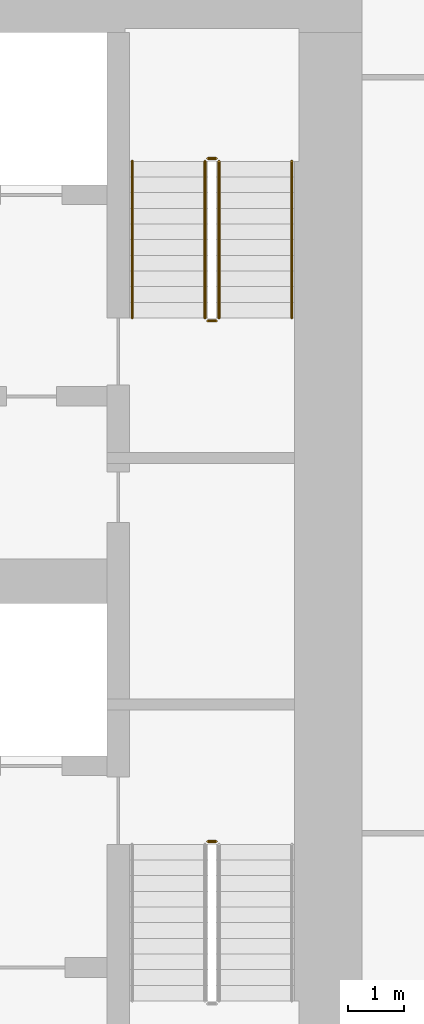
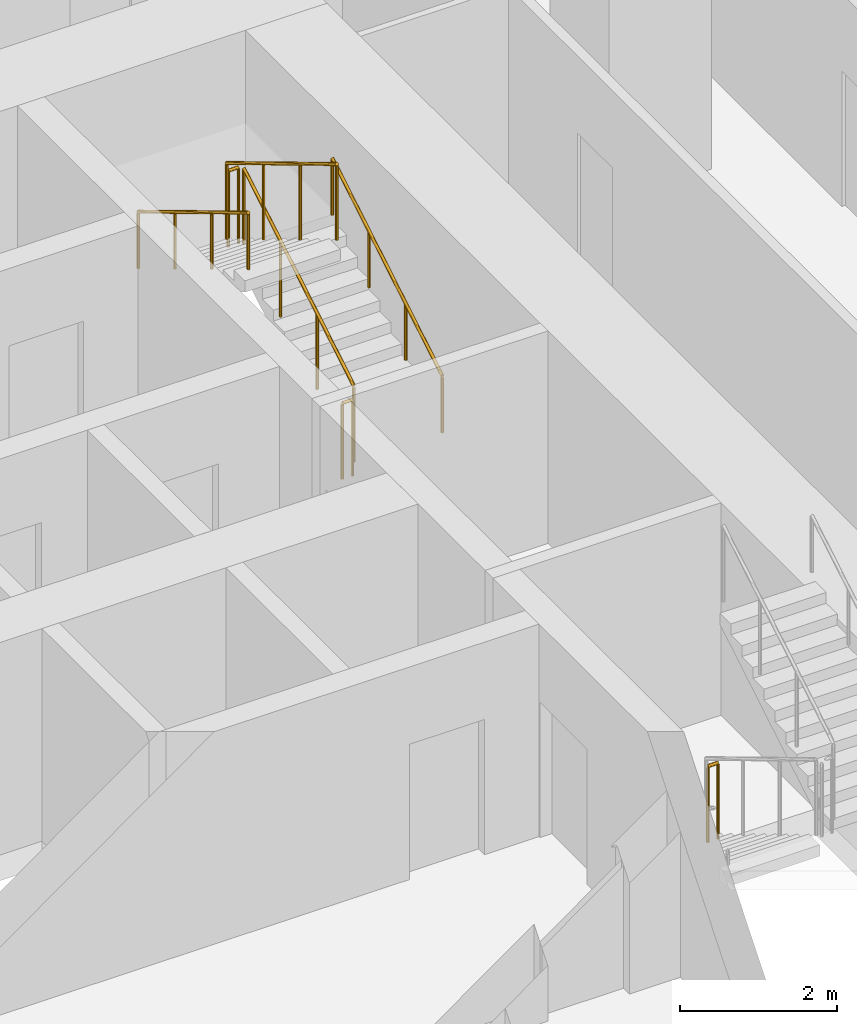
# One storey, part 26 of 27: 7 railings.
"""IFC4 building model written with IfcOpenShell, lengths in metres."""

from ifc_helpers import new_model, si_unit, direction, frame, origin, origin_2d, place, context, subcontext, project, spatial, circle, extrude, material, type_object, element, save


model = new_model("IFC4")

# Units and contexts
model_context = context("Model", 3, precision=1e-05, world=origin(), true_north=direction((0.0, 1.0)))
body_context = subcontext(model_context, "Body", "Model", "MODEL_VIEW")
ifc_project = project(units=[si_unit("LENGTHUNIT", "METRE"), si_unit("AREAUNIT", "SQUARE_METRE"), si_unit("VOLUMEUNIT", "CUBIC_METRE"), si_unit("PLANEANGLEUNIT", "RADIAN"), si_unit("MASSUNIT", "GRAM", prefix="KILO")], contexts=[model_context])

# Site, building, storey
site_placement = place(None, origin())
site = spatial("IfcSite", under=ifc_project, at=site_placement, CompositionType="ELEMENT")
building_placement = place(site_placement, origin())
building = spatial("IfcBuilding", under=site, at=building_placement, Name="Dongbaek Canopy Tower", CompositionType="ELEMENT")
storey_placement = place(building_placement, frame((0.0, 0.0, 62.5)))
storey = spatial("IfcBuildingStorey", under=building, at=storey_placement, Name="L11", CompositionType="ELEMENT", Elevation=62.5)

# Railings
ifc_material_1 = material(Name="Stainless steel tube and balusters", Category="steel")
railing_type_1 = type_object("IfcRailingType", Name="Stair guard 1200", PredefinedType="GUARDRAIL", material=ifc_material_1)
railing_1_placement = place(storey_placement, frame((11.449951171875, 4.699951171875, 0.168212890625)))
element("IfcRailing", 1, at=railing_1_placement, inside=storey, type_object=railing_type_1, Name="L11 ST-A stair guard 1", PredefinedType="GUARDRAIL", context=body_context, shape_type="SweptSolid", body=[
    extrude(circle(Radius=0.02392578125, at=origin_2d()), frame((0.0, 0.0, 1.17578125), z_axis=(0.0, 0.857242210791, 0.514913383045), x_axis=(-1.0, 0.0, 0.0)), (0.0, 0.0, 1.0), 3.266357421875),
    extrude(circle(Radius=0.02099609375, at=origin_2d()), origin(), (0.0, 0.0, 1.0), 1.15185546875),
    extrude(circle(Radius=0.02099609375, at=origin_2d()), frame((0.0, 0.933349609375, 0.560546875)), (0.0, 0.0, 1.0), 1.15185546875),
    extrude(circle(Radius=0.02099609375, at=origin_2d()), frame((0.0, 1.86669921875, 1.121337890625)), (0.0, 0.0, 1.0), 1.15185546875),
    extrude(circle(Radius=0.02099609375, at=origin_2d()), frame((0.0, 2.800048828125, 1.681884765625)), (0.0, 0.0, 1.0), 1.15185546875),
])
railing_2_placement = place(storey_placement, frame((11.39990234375, 7.550048828125, 1.85009765625)))
element("IfcRailing", 2, at=railing_2_placement, inside=storey, type_object=railing_type_1, Name="L11 ST-A stair guard 2", PredefinedType="GUARDRAIL", context=body_context, shape_type="SweptSolid", body=[
    extrude(circle(Radius=0.02392578125, at=origin_2d()), frame((0.0, 0.0, 1.17578125), z_axis=(-1.0, 0.0, 0.0), x_axis=(0.0, -1.0, 0.0)), (0.0, 0.0, 1.0), 0.14990234375),
    extrude(circle(Radius=0.02099609375, at=origin_2d()), origin(), (0.0, 0.0, 1.0), 1.15185546875),
    extrude(circle(Radius=0.02099609375, at=origin_2d()), frame((-0.14990234375, 0.0, 0.0)), (0.0, 0.0, 1.0), 1.15185546875),
])
railing_3_placement = place(storey_placement, frame((11.199951171875, 7.5, 2.01806640625)))
element("IfcRailing", 3, at=railing_3_placement, inside=storey, type_object=railing_type_1, Name="L11 ST-A stair guard 3", PredefinedType="GUARDRAIL", context=body_context, shape_type="SweptSolid", body=[
    extrude(circle(Radius=0.02392578125, at=origin_2d()), frame((0.0, 0.0, 1.17578125), z_axis=(0.0, -0.857242210791, 0.514913383045), x_axis=(1.0, 0.0, 0.0)), (0.0, 0.0, 1.0), 3.266357421875),
    extrude(circle(Radius=0.02099609375, at=origin_2d()), origin(), (0.0, 0.0, 1.0), 1.15185546875),
    extrude(circle(Radius=0.02099609375, at=origin_2d()), frame((0.0, -0.933349609375, 0.560546875)), (0.0, 0.0, 1.0), 1.15185546875),
    extrude(circle(Radius=0.02099609375, at=origin_2d()), frame((0.0, -1.86669921875, 1.121337890625)), (0.0, 0.0, 1.0), 1.15185546875),
    extrude(circle(Radius=0.02099609375, at=origin_2d()), frame((0.0, -2.800048828125, 1.681884765625)), (0.0, 0.0, 1.0), 1.15185546875),
])
railing_4_placement = place(storey_placement, frame((11.39990234375, 4.64990234375, 0.0)))
element("IfcRailing", 4, at=railing_4_placement, inside=storey, type_object=railing_type_1, Name="L11 ST-A stair guard 4", PredefinedType="GUARDRAIL", context=body_context, shape_type="SweptSolid", body=[
    extrude(circle(Radius=0.02392578125, at=origin_2d()), frame((0.0, 0.0, 1.17578125), z_axis=(-1.0, 0.0, 0.0), x_axis=(0.0, -1.0, 0.0)), (0.0, 0.0, 1.0), 0.14990234375),
    extrude(circle(Radius=0.02099609375, at=origin_2d()), origin(), (0.0, 0.0, 1.0), 1.15185546875),
    extrude(circle(Radius=0.02099609375, at=origin_2d()), frame((-0.14990234375, 0.0, 0.0)), (0.0, 0.0, 1.0), 1.15185546875),
])
railing_5_placement = place(storey_placement, frame((11.25, -4.64990234375, 0.0)))
element("IfcRailing", 5, at=railing_5_placement, inside=storey, type_object=railing_type_1, Name="L11 ST-B stair guard 4", PredefinedType="GUARDRAIL", context=body_context, shape_type="SweptSolid", body=[
    extrude(circle(Radius=0.02392578125, at=origin_2d()), frame((0.0, 0.0, 1.17578125), z_axis=(1.0, 0.0, 0.0), x_axis=(0.0, 1.0, 0.0)), (0.0, 0.0, 1.0), 0.14990234375),
    extrude(circle(Radius=0.02099609375, at=origin_2d()), origin(), (0.0, 0.0, 1.0), 1.15185546875),
    extrude(circle(Radius=0.02099609375, at=origin_2d()), frame((0.14990234375, 0.0, 0.0)), (0.0, 0.0, 1.0), 1.15185546875),
])
ifc_material_2 = material(Name="Stainless steel tube", Category="steel")
railing_type_2 = type_object("IfcRailingType", Name="Stair handrail 900", PredefinedType="HANDRAIL", material=ifc_material_2)
railing_6_placement = place(storey_placement, frame((12.75, 4.699951171875, 0.168212890625)))
element("IfcRailing", 6, at=railing_6_placement, inside=storey, type_object=railing_type_2, Name="L11 ST-A stair handrail 1", PredefinedType="HANDRAIL", context=body_context, shape_type="SweptSolid", body=[
    extrude(circle(Radius=0.02392578125, at=origin_2d()), frame((0.0, 0.0, 0.8759765625), z_axis=(0.0, 0.857242210791, 0.514913383045), x_axis=(-1.0, 0.0, 0.0)), (0.0, 0.0, 1.0), 3.266357421875),
    extrude(circle(Radius=0.02099609375, at=origin_2d()), origin(), (0.0, 0.0, 1.0), 0.851806640625),
    extrude(circle(Radius=0.02099609375, at=origin_2d()), frame((0.0, 0.933349609375, 0.560546875)), (0.0, 0.0, 1.0), 0.851806640625),
    extrude(circle(Radius=0.02099609375, at=origin_2d()), frame((0.0, 1.86669921875, 1.121337890625)), (0.0, 0.0, 1.0), 0.851806640625),
    extrude(circle(Radius=0.02099609375, at=origin_2d()), frame((0.0, 2.800048828125, 1.681884765625)), (0.0, 0.0, 1.0), 0.851806640625),
])
railing_7_placement = place(storey_placement, frame((9.89990234375, 7.5, 2.01806640625)))
element("IfcRailing", 7, at=railing_7_placement, inside=storey, type_object=railing_type_2, Name="L11 ST-A stair handrail 2", PredefinedType="HANDRAIL", context=body_context, shape_type="SweptSolid", body=[
    extrude(circle(Radius=0.02392578125, at=origin_2d()), frame((0.0, 0.0, 0.8759765625), z_axis=(0.0, -0.857242210791, 0.514913383045), x_axis=(1.0, 0.0, 0.0)), (0.0, 0.0, 1.0), 3.266357421875),
    extrude(circle(Radius=0.02099609375, at=origin_2d()), origin(), (0.0, 0.0, 1.0), 0.851806640625),
    extrude(circle(Radius=0.02099609375, at=origin_2d()), frame((0.0, -0.933349609375, 0.560546875)), (0.0, 0.0, 1.0), 0.851806640625),
    extrude(circle(Radius=0.02099609375, at=origin_2d()), frame((0.0, -1.86669921875, 1.121337890625)), (0.0, 0.0, 1.0), 0.851806640625),
    extrude(circle(Radius=0.02099609375, at=origin_2d()), frame((0.0, -2.800048828125, 1.681884765625)), (0.0, 0.0, 1.0), 0.851806640625),
])

save(model, "model.ifc")
